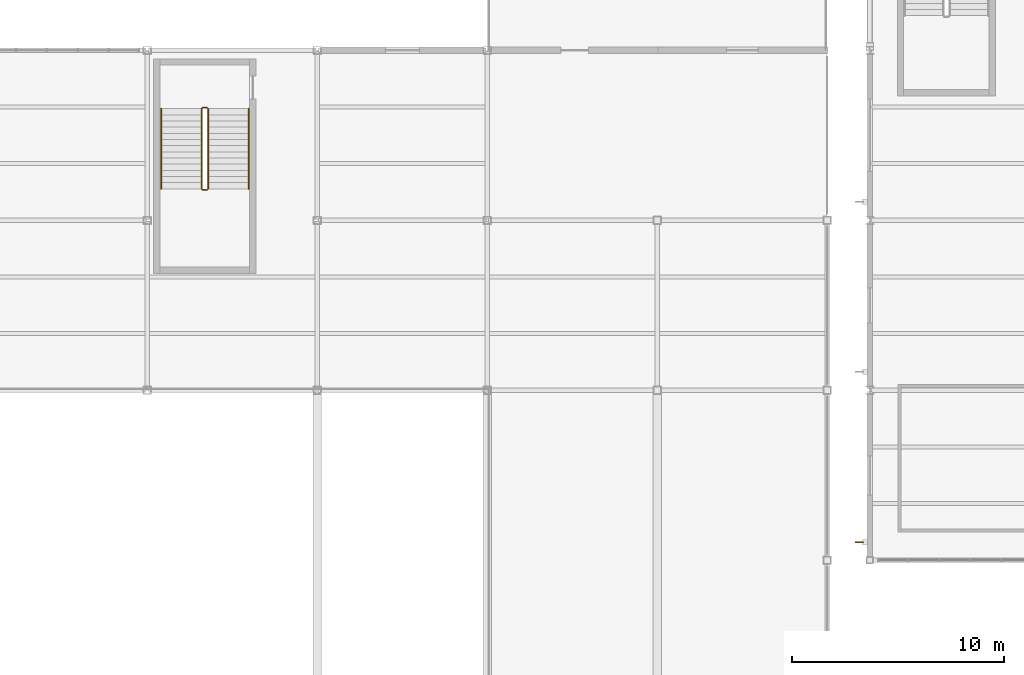
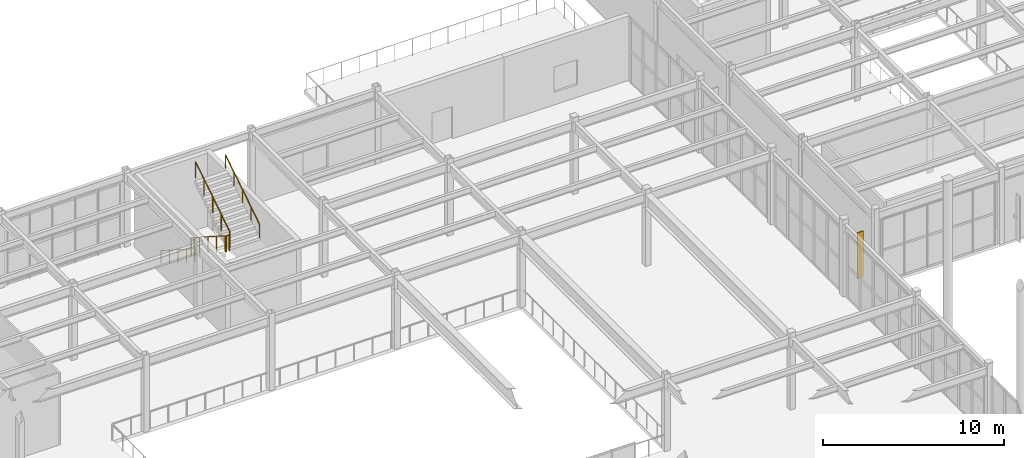
# One storey, part 74 of 77: 6 railings, 1 shading device.
"""IFC4 building model written with IfcOpenShell, lengths in metres."""

from ifc_helpers import new_model, si_unit, direction, frame, origin, origin_2d, place, context, subcontext, project, spatial, rectangle, circle, extrude, material, type_object, element, save


model = new_model("IFC4")

# Units and contexts
model_context = context("Model", 3, precision=1e-05, world=origin(), true_north=direction((0.0, 1.0)))
body_context = subcontext(model_context, "Body", "Model", "MODEL_VIEW")
ifc_project = project(units=[si_unit("LENGTHUNIT", "METRE"), si_unit("AREAUNIT", "SQUARE_METRE"), si_unit("VOLUMEUNIT", "CUBIC_METRE"), si_unit("PLANEANGLEUNIT", "RADIAN"), si_unit("MASSUNIT", "GRAM", prefix="KILO")], contexts=[model_context])

# Site, building, storey
site_placement = place(None, origin())
site = spatial("IfcSite", under=ifc_project, at=site_placement, CompositionType="ELEMENT")
building_placement = place(site_placement, origin())
building = spatial("IfcBuilding", under=site, at=building_placement, Name="Drelvath Fold Interchange", CompositionType="ELEMENT")
storey_placement = place(building_placement, frame((0.0, 0.0, 6.0)))
storey = spatial("IfcBuildingStorey", under=building, at=storey_placement, Name="L01", CompositionType="ELEMENT", Elevation=6.0)

# Railings
ifc_material_1 = material(Name="Stainless Steel 316L", Category="steel")
railing_type_1 = type_object("IfcRailingType", Name="RL-GRD1100", PredefinedType="GUARDRAIL", material=ifc_material_1)
railing_1_placement = place(storey_placement, frame((70.56005859375, 96.25, 0.185791015625)))
element("IfcRailing", 1, at=railing_1_placement, inside=storey, type_object=railing_type_1, Name="L01 ST-06 stair guard 1", PredefinedType="GUARDRAIL", context=body_context, shape_type="SweptSolid", body=[
    extrude(circle(Radius=0.02392578125, at=origin_2d()), frame((0.0, 0.0, 1.076171875), z_axis=(0.0, -0.84211983486, 0.539290444692), x_axis=(1.0, 0.0, 0.0)), (0.0, 0.0, 1.0), 4.476806640625),
    extrude(circle(Radius=0.02099609375, at=origin_2d()), origin(), (0.0, 0.0, 1.0), 1.052001953125),
    extrude(circle(Radius=0.02099609375, at=origin_2d()), frame((0.0, -0.9423828125, 0.603515625)), (0.0, 0.0, 1.0), 1.052001953125),
    extrude(circle(Radius=0.02099609375, at=origin_2d()), frame((0.0, -1.885009765625, 1.20703125)), (0.0, 0.0, 1.0), 1.052001953125),
    extrude(circle(Radius=0.02099609375, at=origin_2d()), frame((0.0, -2.82763671875, 1.810791015625)), (0.0, 0.0, 1.0), 1.052001953125),
    extrude(circle(Radius=0.02099609375, at=origin_2d()), frame((0.0, -3.77001953125, 2.414306640625)), (0.0, 0.0, 1.0), 1.052001953125),
])
railing_2_placement = place(storey_placement, frame((70.610107421875, 92.429931640625, 2.60009765625)))
element("IfcRailing", 2, at=railing_2_placement, inside=storey, type_object=railing_type_1, Name="L01 ST-06 stair guard 2", PredefinedType="GUARDRAIL", context=body_context, shape_type="SweptSolid", body=[
    extrude(circle(Radius=0.02392578125, at=origin_2d()), frame((0.0, 0.0, 1.076171875), z_axis=(1.0, 0.0, 0.0), x_axis=(0.0, 1.0, 0.0)), (0.0, 0.0, 1.0), 0.199951171875),
    extrude(circle(Radius=0.02099609375, at=origin_2d()), origin(), (0.0, 0.0, 1.0), 1.052001953125),
    extrude(circle(Radius=0.02099609375, at=origin_2d()), frame((0.199951171875, 0.0, 0.0)), (0.0, 0.0, 1.0), 1.052001953125),
])
railing_3_placement = place(storey_placement, frame((70.860107421875, 92.47998046875, 2.78564453125)))
element("IfcRailing", 3, at=railing_3_placement, inside=storey, type_object=railing_type_1, Name="L01 ST-06 stair guard 3", PredefinedType="GUARDRAIL", context=body_context, shape_type="SweptSolid", body=[
    extrude(circle(Radius=0.02392578125, at=origin_2d()), frame((0.0, 0.0, 1.076171875), z_axis=(0.0, 0.84211983486, 0.539290444692), x_axis=(-1.0, 0.0, 0.0)), (0.0, 0.0, 1.0), 4.476806640625),
    extrude(circle(Radius=0.02099609375, at=origin_2d()), origin(), (0.0, 0.0, 1.0), 1.052001953125),
    extrude(circle(Radius=0.02099609375, at=origin_2d()), frame((0.0, 0.9423828125, 0.603515625)), (0.0, 0.0, 1.0), 1.052001953125),
    extrude(circle(Radius=0.02099609375, at=origin_2d()), frame((0.0, 1.885009765625, 1.20703125)), (0.0, 0.0, 1.0), 1.052001953125),
    extrude(circle(Radius=0.02099609375, at=origin_2d()), frame((0.0, 2.82763671875, 1.810791015625)), (0.0, 0.0, 1.0), 1.052001953125),
    extrude(circle(Radius=0.02099609375, at=origin_2d()), frame((0.0, 3.77001953125, 2.414306640625)), (0.0, 0.0, 1.0), 1.052001953125),
])
railing_4_placement = place(storey_placement, frame((70.610107421875, 96.300048828125, 0.0)))
element("IfcRailing", 4, at=railing_4_placement, inside=storey, type_object=railing_type_1, Name="L01 ST-06 stair guard 4", PredefinedType="GUARDRAIL", context=body_context, shape_type="SweptSolid", body=[
    extrude(circle(Radius=0.02392578125, at=origin_2d()), frame((0.0, 0.0, 1.076171875), z_axis=(1.0, 0.0, 0.0), x_axis=(0.0, 1.0, 0.0)), (0.0, 0.0, 1.0), 0.199951171875),
    extrude(circle(Radius=0.02099609375, at=origin_2d()), origin(), (0.0, 0.0, 1.0), 1.052001953125),
    extrude(circle(Radius=0.02099609375, at=origin_2d()), frame((0.199951171875, 0.0, 0.0)), (0.0, 0.0, 1.0), 1.052001953125),
])
railing_type_2 = type_object("IfcRailingType", Name="RL-HND920", PredefinedType="HANDRAIL", material=ifc_material_1)
railing_5_placement = place(storey_placement, frame((68.64990234375, 96.25, 0.185791015625)))
element("IfcRailing", 5, at=railing_5_placement, inside=storey, type_object=railing_type_2, Name="L01 ST-06 stair handrail 1", PredefinedType="HANDRAIL", context=body_context, shape_type="SweptSolid", body=[
    extrude(circle(Radius=0.02392578125, at=origin_2d()), frame((0.0, 0.0, 0.8759765625), z_axis=(0.0, -0.84211983486, 0.539290444692), x_axis=(1.0, 0.0, 0.0)), (0.0, 0.0, 1.0), 4.476806640625),
    extrude(circle(Radius=0.02099609375, at=origin_2d()), origin(), (0.0, 0.0, 1.0), 0.851806640625),
    extrude(circle(Radius=0.02099609375, at=origin_2d()), frame((0.0, -0.9423828125, 0.603515625)), (0.0, 0.0, 1.0), 0.851806640625),
    extrude(circle(Radius=0.02099609375, at=origin_2d()), frame((0.0, -1.885009765625, 1.20703125)), (0.0, 0.0, 1.0), 0.851806640625),
    extrude(circle(Radius=0.02099609375, at=origin_2d()), frame((0.0, -2.82763671875, 1.810791015625)), (0.0, 0.0, 1.0), 0.851806640625),
    extrude(circle(Radius=0.02099609375, at=origin_2d()), frame((0.0, -3.77001953125, 2.414306640625)), (0.0, 0.0, 1.0), 0.851806640625),
])
railing_6_placement = place(storey_placement, frame((72.77001953125, 92.47998046875, 2.78564453125)))
element("IfcRailing", 6, at=railing_6_placement, inside=storey, type_object=railing_type_2, Name="L01 ST-06 stair handrail 2", PredefinedType="HANDRAIL", context=body_context, shape_type="SweptSolid", body=[
    extrude(circle(Radius=0.02392578125, at=origin_2d()), frame((0.0, 0.0, 0.8759765625), z_axis=(0.0, 0.84211983486, 0.539290444692), x_axis=(-1.0, 0.0, 0.0)), (0.0, 0.0, 1.0), 4.476806640625),
    extrude(circle(Radius=0.02099609375, at=origin_2d()), origin(), (0.0, 0.0, 1.0), 0.851806640625),
    extrude(circle(Radius=0.02099609375, at=origin_2d()), frame((0.0, 0.9423828125, 0.603515625)), (0.0, 0.0, 1.0), 0.851806640625),
    extrude(circle(Radius=0.02099609375, at=origin_2d()), frame((0.0, 1.885009765625, 1.20703125)), (0.0, 0.0, 1.0), 0.851806640625),
    extrude(circle(Radius=0.02099609375, at=origin_2d()), frame((0.0, 2.82763671875, 1.810791015625)), (0.0, 0.0, 1.0), 0.851806640625),
    extrude(circle(Radius=0.02099609375, at=origin_2d()), frame((0.0, 3.77001953125, 2.414306640625)), (0.0, 0.0, 1.0), 0.851806640625),
])

# Shading device
ifc_material_2 = material(Name="Anodized Aluminium 6063-T6", Category="aluminium")
shading_device_type = type_object("IfcShadingDeviceType", Name="SD-FIN380", PredefinedType="JALOUSIE", material=ifc_material_2)
shading_device_placement = place(storey_placement, frame((101.512939453125, 75.847900390625, 0.099853515625), z_axis=(0.0, 0.0, 1.0), x_axis=(1.0, 0.0, 0.0)))
element("IfcShadingDevice", 7, at=shading_device_placement, inside=storey, type_object=shading_device_type, Name="Vertical aluminium solar fin 12", PredefinedType="JALOUSIE", context=body_context, shape_type="SweptSolid", body=[
    extrude(rectangle(XDim=0.3798828125, YDim=0.06494140625, at=origin_2d()), origin(), (0.0, 0.0, 1.0), 3.10009765625),
])

save(model, "model.ifc")
